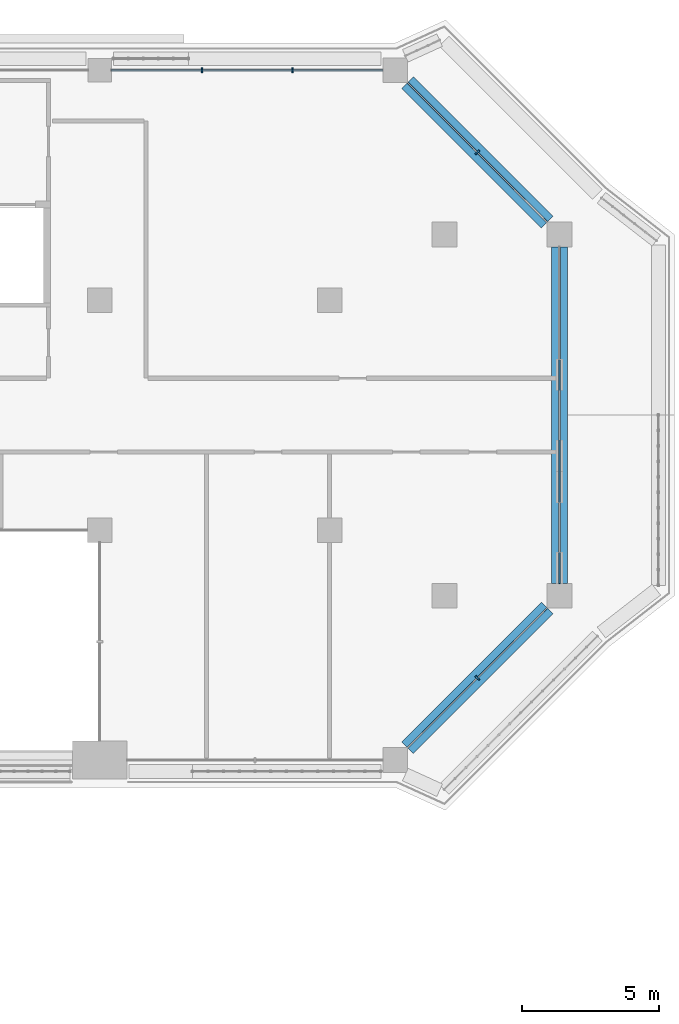
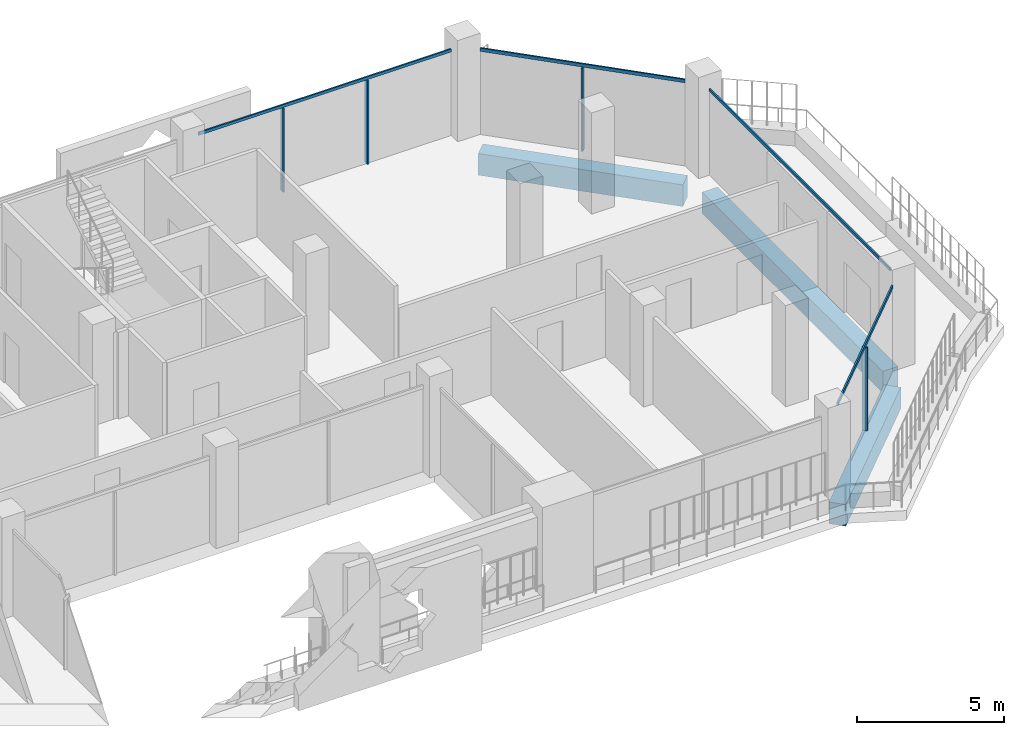
# One storey, part 9 of 23: 8 members, 3 beams, 4 elements without a shape of their own.
"""IFC4 building model written with IfcOpenShell, lengths in metres."""

import ifcopenshell
import ifcopenshell.guid

model = None  # the IFC model being written
_history = None  # IfcOwnerHistory: only IFC2X3 demands one
_inside = {}  # id of a spatial element -> (the spatial element, [elements in it])
_under = {}  # id of a project, library or spatial element -> (it, [spatial elements below it])
_declared = {}  # id of a project -> (the project, [libraries it declares])
_typed = {}  # id of a type object -> (the type object, [elements of that type])
_made_of = {}  # id of a material, layer set ... -> (it, [elements and type objects made of it])


def new_model(schema):
    """Start an empty IFC model of exactly this schema.

    Asked for "IFC4X3", IfcOpenShell would pick the latest addendum, in which some entities
    have other attributes; the version numbers below select the first issue.
    IFC2X3 requires an IfcOwnerHistory on every rooted entity: one is made here for all.
    """
    global model, _history
    if schema == "IFC4X3":
        model = ifcopenshell.file(schema_version=(4, 3, 0, 0))
    else:
        model = ifcopenshell.file(schema=schema)
    _inside.clear()
    _under.clear()
    _declared.clear()
    _typed.clear()
    _made_of.clear()
    _history = None
    if model.schema == "IFC2X3":
        org = make("IfcOrganization", Name="unknown")
        user = make(
            "IfcPersonAndOrganization",
            ThePerson=make("IfcPerson", FamilyName="unknown"),
            TheOrganization=org,
        )
        app = make(
            "IfcApplication",
            ApplicationDeveloper=org,
            Version="unknown",
            ApplicationFullName="unknown",
            ApplicationIdentifier="unknown",
        )
        _history = make(
            "IfcOwnerHistory",
            OwningUser=user,
            OwningApplication=app,
            ChangeAction="ADDED",
            CreationDate=0,
        )
    return model


def make(cls, **values):
    """One entity of the class cls with the attributes given. An attribute that is None is left unset."""
    return model.create_entity(
        cls, **{name: value for name, value in values.items() if value is not None}
    )


def rooted(cls, **values):
    """An entity with a GlobalId (a new one), such as an element, a storey or a relation."""
    return make(cls, GlobalId=ifcopenshell.guid.new(), OwnerHistory=_history, **values)


def si_unit(unit_type, name, prefix=None):
    """IfcSIUnit, for example si_unit("LENGTHUNIT", "METRE", prefix="MILLI")."""
    return make("IfcSIUnit", UnitType=unit_type, Prefix=prefix, Name=name)


def assignment(units):
    """IfcUnitAssignment: the units of a project."""
    return None if units is None else make("IfcUnitAssignment", Units=units)


def point(xyz):
    """IfcCartesianPoint."""
    return None if xyz is None else make("IfcCartesianPoint", Coordinates=xyz)


def direction(xyz):
    """IfcDirection."""
    return None if xyz is None else make("IfcDirection", DirectionRatios=xyz)


def frame(location, z_axis=None, x_axis=None):
    """IfcAxis2Placement3D, a coordinate frame: its origin and axes. An axis left out is left unset."""
    return make(
        "IfcAxis2Placement3D",
        Location=point(location),
        Axis=direction(z_axis),
        RefDirection=direction(x_axis),
    )


def frame_2d(location, x_axis=None):
    """IfcAxis2Placement2D, a coordinate frame in the plane: its origin and x axis."""
    return make(
        "IfcAxis2Placement2D", Location=point(location), RefDirection=direction(x_axis)
    )


def origin():
    """The frame at (0, 0, 0) with its axes left unset."""
    return frame((0.0, 0.0, 0.0))


def origin_2d():
    """The frame at (0, 0) in the plane with its x axis left unset."""
    return frame_2d((0.0, 0.0))


def place(relative_to, where):
    """IfcLocalPlacement: puts the frame where relative to a parent placement (None: the world)."""
    return make(
        "IfcLocalPlacement", PlacementRelTo=relative_to, RelativePlacement=where
    )


def context(
    kind, dimensions, precision=None, world=None, true_north=None, identifier=None
):
    """IfcGeometricRepresentationContext, for example the 3D "Model" context."""
    return make(
        "IfcGeometricRepresentationContext",
        ContextIdentifier=identifier,
        ContextType=kind,
        CoordinateSpaceDimension=dimensions,
        Precision=precision,
        WorldCoordinateSystem=world,
        TrueNorth=true_north,
    )


def subcontext(parent, identifier, kind, view, scale=None):
    """IfcGeometricRepresentationSubContext, for example "Body" below "Model"."""
    return make(
        "IfcGeometricRepresentationSubContext",
        ContextIdentifier=identifier,
        ContextType=kind,
        ParentContext=parent,
        TargetScale=scale,
        TargetView=view,
    )


def project(units=None, contexts=None):
    """IfcProject with its units and contexts."""
    return rooted(
        "IfcProject",
        Name="project",
        RepresentationContexts=contexts,
        UnitsInContext=assignment(units),
    )


def spatial(cls, under=None, at=None, **own):
    """A site, building, storey or space (cls), placed at a placement, below another one or the project."""
    s = rooted(cls, ObjectPlacement=at, **own)
    if under is not None:
        _under.setdefault(under.id(), (under, []))[1].append(s)
    return s


def profile(cls, at=None, kind="AREA", **sizes):
    """A parametric profile (cls). Its sizes go by their IFC names, for example OverallWidth=200.0."""
    return make(cls, ProfileType=kind, Position=at, **sizes)


def rectangle(**sizes):
    """IfcRectangleProfileDef."""
    return profile("IfcRectangleProfileDef", **sizes)


def extrude(swept, where, along, depth):
    """IfcExtrudedAreaSolid: the profile swept, set in the frame where, extruded along a direction by depth."""
    return make(
        "IfcExtrudedAreaSolid",
        SweptArea=swept,
        Position=where,
        ExtrudedDirection=direction(along),
        Depth=depth,
    )


def shape(context_of_items, identifier, shape_type, items):
    """IfcShapeRepresentation: the items that make up one representation, for example the "Body"."""
    return make(
        "IfcShapeRepresentation",
        ContextOfItems=context_of_items,
        RepresentationIdentifier=identifier,
        RepresentationType=shape_type,
        Items=items,
    )


def material(Name=None, Category=None):
    """IfcMaterial."""
    return make("IfcMaterial", Name=Name, Category=Category)


def layer(
    of_material, thickness, ventilated=None, Name=None, Category=None, Priority=None
):
    """IfcMaterialLayer: one layer of a wall or slab, of a material (None: an air gap)."""
    return make(
        "IfcMaterialLayer",
        Material=of_material,
        LayerThickness=thickness,
        IsVentilated=ventilated,
        Name=Name,
        Category=Category,
        Priority=Priority,
    )


def layer_set(layers, Name=None):
    """IfcMaterialLayerSet."""
    return make("IfcMaterialLayerSet", MaterialLayers=layers, LayerSetName=Name)


def material_profile(
    of_material, cross_section, Name=None, Category=None, Priority=None
):
    """IfcMaterialProfile: a cross section and its material."""
    return make(
        "IfcMaterialProfile",
        Name=Name,
        Material=of_material,
        Profile=cross_section,
        Priority=Priority,
        Category=Category,
    )


def profile_set(profiles, Name=None, composite=None):
    """IfcMaterialProfileSet."""
    return make(
        "IfcMaterialProfileSet",
        Name=Name,
        MaterialProfiles=profiles,
        CompositeProfile=composite,
    )


def made_of(thing, what):
    """Note that an element or type object is made of a material, layer set ...; save() writes the relation."""
    if what is not None:
        _made_of.setdefault(what.id(), (what, []))[1].append(thing)
    return thing


def type_object(cls, material=None, **own):
    """A type object (cls), such as IfcWallType, which elements share."""
    return made_of(rooted(cls, **own), material)


def element(
    cls,
    number,
    at=None,
    inside=None,
    cuts=None,
    type_object=None,
    material=None,
    context=None,
    identifier="Body",
    shape_type=None,
    held_by="IfcProductDefinitionShape",
    body=None,
    shapes=None,
    **own,
):
    """One element of the class cls, such as IfcWall. Its Tag is "e" and its number.

    at: its placement. inside: the storey or other place that contains it. cuts: it is an
    opening in that element (IfcRelVoidsElement). A single representation is given by context,
    identifier, shape_type and body (its items); several are given by shapes. held_by: the class
    of the entity that holds the representations. save() writes the other relations.
    """
    e = rooted(cls, Tag="e%d" % number, ObjectPlacement=at, **own)
    if body is not None:
        shapes = [shape(context, identifier, shape_type, body)]
    if shapes is not None:
        e.Representation = make(held_by, Representations=shapes)
    if inside is not None:
        _inside.setdefault(inside.id(), (inside, []))[1].append(e)
    if cuts is not None:
        rooted(
            "IfcRelVoidsElement", RelatingBuildingElement=cuts, RelatedOpeningElement=e
        )
    if type_object is not None:
        _typed.setdefault(type_object.id(), (type_object, []))[1].append(e)
    return made_of(e, material)


def aggregate(whole, parts):
    """IfcRelAggregates: a whole, such as a stair, and the parts it consists of."""
    return rooted("IfcRelAggregates", RelatingObject=whole, RelatedObjects=parts)


def save(model, path):
    """Write the relations noted so far, then the file.

    IfcRelAggregates (storeys below a building ...), IfcRelContainedInSpatialStructure (elements
    in a storey), IfcRelDefinesByType, IfcRelAssociatesMaterial and IfcRelDeclares: one each for
    every whole, place, type object, material and project.
    """
    for whole, parts in _under.values():
        aggregate(whole, parts)
    for where, things in _inside.values():
        rooted(
            "IfcRelContainedInSpatialStructure",
            RelatedElements=things,
            RelatingStructure=where,
        )
    for kind, things in _typed.values():
        rooted("IfcRelDefinesByType", RelatedObjects=things, RelatingType=kind)
    for what, things in _made_of.values():
        rooted("IfcRelAssociatesMaterial", RelatedObjects=things, RelatingMaterial=what)
    for by, libraries in _declared.values():
        rooted("IfcRelDeclares", RelatingContext=by, RelatedDefinitions=libraries)
    model.write(path)


model = new_model("IFC4")

# Units and contexts
model_context = context("Model", 3, precision=1e-05, world=origin(), true_north=direction((0.0, 1.0)))
body_context = subcontext(model_context, "Body", "Model", "MODEL_VIEW")
ifc_project = project(units=[si_unit("LENGTHUNIT", "METRE"), si_unit("AREAUNIT", "SQUARE_METRE"), si_unit("VOLUMEUNIT", "CUBIC_METRE"), si_unit("PLANEANGLEUNIT", "RADIAN"), si_unit("MASSUNIT", "GRAM", prefix="KILO")], contexts=[model_context])

# Site, building, storey
site_placement = place(None, origin())
site = spatial("IfcSite", under=ifc_project, at=site_placement, CompositionType="ELEMENT")
building_placement = place(site_placement, origin())
building = spatial("IfcBuilding", under=site, at=building_placement, Name="Kawkab Arch Medical Tower", CompositionType="ELEMENT")
storey_placement = place(building_placement, frame((0.0, 0.0, 226.39990234375)))
storey = spatial("IfcBuildingStorey", under=building, at=storey_placement, Name="L52", CompositionType="ELEMENT", Elevation=226.39990234375)

# Curtain wall, members
ifc_material_1 = material(Name="Bronze anodised aluminium curtain wall frame", Category="aluminium")
ifc_layer_1 = layer(ifc_material_1, 0.159912109375)
ifc_layer_set_1 = layer_set([ifc_layer_1], Name="Bronze anodised aluminium curtain wall frame")
curtain_wall_type_1 = type_object("IfcCurtainWallType", Name="CW1 ward curtain wall", PredefinedType="NOTDEFINED", material=ifc_layer_set_1)
placement = place(storey_placement, origin())
curtain_wall_1 = element("IfcCurtainWall", 1, at=placement, inside=storey, type_object=curtain_wall_type_1, Name="CW1 Ward curtain wall R09", PredefinedType="NOTDEFINED")
ifc_material_2 = material(Name="Bronze anodised aluminium curtain wall frame", Category="aluminium")
ifc_material_profile_1 = material_profile(ifc_material_2, rectangle(XDim=0.179931640625, YDim=0.06005859375, at=origin_2d()), Name="AL 60x180")
ifc_profile_set_1 = profile_set([ifc_material_profile_1], Name="Bronze anodised aluminium curtain wall frame")
member_type_1 = type_object("IfcMemberType", Name="CW1 mullion 60 x 180", PredefinedType="MULLION", material=ifc_profile_set_1)
member_1_placement = place(storey_placement, frame((57.441650390625, 0.0, 0.0), z_axis=(0.0, 0.0, 1.0), x_axis=(0.0, -1.0, 0.0)))
member_1 = element("IfcMember", 2, at=member_1_placement, type_object=member_type_1, Name="CW1 mullion 1.1", PredefinedType="MULLION", context=body_context, shape_type="SweptSolid", body=[
    extrude(rectangle(XDim=0.179931640625, YDim=0.06005859375, at=origin_2d()), origin(), (0.0, 0.0, 1.0), 3.47998046875),
])
member_2_placement = place(storey_placement, frame((54.13330078125, 0.0, 0.0), z_axis=(0.0, 0.0, 1.0), x_axis=(0.0, -1.0, 0.0)))
member_2 = element("IfcMember", 3, at=member_2_placement, type_object=member_type_1, Name="CW1 mullion 1.2", PredefinedType="MULLION", context=body_context, shape_type="SweptSolid", body=[
    extrude(rectangle(XDim=0.179931640625, YDim=0.06005859375, at=origin_2d()), origin(), (0.0, 0.0, 1.0), 3.47998046875),
])

# Curtain wall, member
curtain_wall_2 = element("IfcCurtainWall", 4, at=placement, inside=storey, type_object=curtain_wall_type_1, Name="CW1 Ward curtain wall R07", PredefinedType="NOTDEFINED")
ifc_material_3 = material(Name="Bronze anodised aluminium curtain wall frame", Category="aluminium")
ifc_material_profile_2 = material_profile(ifc_material_3, rectangle(XDim=0.06005859375, YDim=0.1201171875, at=origin_2d()), Name="AL 60x120")
ifc_profile_set_2 = profile_set([ifc_material_profile_2], Name="Bronze anodised aluminium curtain wall frame")
member_type_2 = type_object("IfcMemberType", Name="CW1 transom 120 x 60", PredefinedType="USERDEFINED", material=ifc_profile_set_2)
member_3_placement = place(storey_placement, frame((67.199951171875, -18.75, 3.5400390625), z_axis=(0.0, 1.0, 0.0), x_axis=(-1.0, 0.0, 0.0)))
member_3 = element("IfcMember", 5, at=member_3_placement, type_object=member_type_2, Name="CW1 transom 1", ObjectType="TRANSOM", PredefinedType="USERDEFINED", context=body_context, shape_type="SweptSolid", body=[
    extrude(rectangle(XDim=0.06005859375, YDim=0.1201171875, at=origin_2d()), origin(), (0.0, 0.0, 1.0), 12.300048828125),
])
aggregate(curtain_wall_2, [member_3])

# Member
member_4_placement = place(storey_placement, frame((60.75, 0.0, 3.5400390625), z_axis=(-1.0, 0.0, 0.0), x_axis=(0.0, -1.0, 0.0)))
member_4 = element("IfcMember", 6, at=member_4_placement, type_object=member_type_2, Name="CW1 transom 1", ObjectType="TRANSOM", PredefinedType="USERDEFINED", context=body_context, shape_type="SweptSolid", body=[
    extrude(rectangle(XDim=0.06005859375, YDim=0.1201171875, at=origin_2d()), origin(), (0.0, 0.0, 1.0), 9.925048828125),
])

aggregate(curtain_wall_1, [member_4, member_1, member_2])

# Curtain wall, member
ifc_material_4 = material(Name="Bronze anodised aluminium curtain wall frame", Category="aluminium")
ifc_layer_2 = layer(ifc_material_4, 0.159912109375)
ifc_layer_set_2 = layer_set([ifc_layer_2], Name="Bronze anodised aluminium curtain wall frame")
curtain_wall_type_2 = type_object("IfcCurtainWallType", Name="CW2 chamfer curtain wall", PredefinedType="NOTDEFINED", material=ifc_layer_set_2)
curtain_wall_3 = element("IfcCurtainWall", 7, at=placement, inside=storey, type_object=curtain_wall_type_2, Name="CW2 Chamfer curtain wall R06", PredefinedType="NOTDEFINED")
ifc_material_5 = material(Name="Bronze anodised aluminium curtain wall frame", Category="aluminium")
ifc_material_profile_3 = material_profile(ifc_material_5, rectangle(XDim=0.199951171875, YDim=0.06005859375, at=origin_2d()), Name="AL 60x200")
ifc_profile_set_3 = profile_set([ifc_material_profile_3], Name="Bronze anodised aluminium curtain wall frame")
member_type_3 = type_object("IfcMemberType", Name="CW2 mullion 60 x 200", PredefinedType="MULLION", material=ifc_profile_set_3)
member_5_placement = place(storey_placement, frame((64.199951171875, -22.199951171875, 0.0), z_axis=(0.0, 0.0, 1.0), x_axis=(-0.707106781187, 0.707106781187, 0.0)))
member_5 = element("IfcMember", 8, at=member_5_placement, type_object=member_type_3, Name="CW2 mullion 1.1", PredefinedType="MULLION", context=body_context, shape_type="SweptSolid", body=[
    extrude(rectangle(XDim=0.199951171875, YDim=0.06005859375, at=origin_2d()), origin(), (0.0, 0.0, 1.0), 3.460205078125),
])

curtain_wall_4 = element("IfcCurtainWall", 9, at=placement, inside=storey, type_object=curtain_wall_type_2, Name="CW2 Chamfer curtain wall R08", PredefinedType="NOTDEFINED")
member_6_placement = place(storey_placement, frame((64.199951171875, -3.0, 0.0), z_axis=(0.0, 0.0, 1.0), x_axis=(-0.707106781187, -0.707106781187, 0.0)))
member_6 = element("IfcMember", 10, at=member_6_placement, type_object=member_type_3, Name="CW2 mullion 1.1", PredefinedType="MULLION", context=body_context, shape_type="SweptSolid", body=[
    extrude(rectangle(XDim=0.199951171875, YDim=0.06005859375, at=origin_2d()), origin(), (0.0, 0.0, 1.0), 3.460205078125),
])

# Member
ifc_material_6 = material(Name="Bronze anodised aluminium curtain wall frame", Category="aluminium")
ifc_material_profile_4 = material_profile(ifc_material_6, rectangle(XDim=0.06005859375, YDim=0.139892578125, at=origin_2d()), Name="AL 60x140")
ifc_profile_set_4 = profile_set([ifc_material_profile_4], Name="Bronze anodised aluminium curtain wall frame")
member_type_4 = type_object("IfcMemberType", Name="CW2 transom 140 x 60", PredefinedType="USERDEFINED", material=ifc_profile_set_4)
member_7_placement = place(storey_placement, frame((61.64990234375, -24.75, 3.530029296875), z_axis=(0.707106781187, 0.707106781187, 0.0), x_axis=(-0.707106781187, 0.707106781187, 0.0)))
member_7 = element("IfcMember", 11, at=member_7_placement, type_object=member_type_4, Name="CW2 transom 1", ObjectType="TRANSOM", PredefinedType="USERDEFINED", context=body_context, shape_type="SweptSolid", body=[
    extrude(rectangle(XDim=0.06005859375, YDim=0.139892578125, at=origin_2d()), origin(), (0.0, 0.0, 1.0), 7.212646484375),
])

aggregate(curtain_wall_3, [member_7, member_5])

member_8_placement = place(storey_placement, frame((66.75, -5.550048828125, 3.530029296875), z_axis=(-0.707106781187, 0.707106781187, 0.0), x_axis=(-0.707106781187, -0.707106781187, 0.0)))
member_8 = element("IfcMember", 12, at=member_8_placement, type_object=member_type_4, Name="CW2 transom 1", ObjectType="TRANSOM", PredefinedType="USERDEFINED", context=body_context, shape_type="SweptSolid", body=[
    extrude(rectangle(XDim=0.06005859375, YDim=0.139892578125, at=origin_2d()), origin(), (0.0, 0.0, 1.0), 7.212646484375),
])

aggregate(curtain_wall_4, [member_8, member_6])

# Beams
ifc_material_7 = material(Name="Concrete C45/55", Category="concrete")
ifc_material_profile_5 = material_profile(ifc_material_7, rectangle(XDim=0.60009765625, YDim=0.89990234375, at=origin_2d()), Name="RC 600x900")
ifc_profile_set_5 = profile_set([ifc_material_profile_5], Name="Concrete C45/55")
beam_type = type_object("IfcBeamType", Name="RC 600x900 beam C45/55", PredefinedType="BEAM", material=ifc_profile_set_5)
beam_1_placement = place(storey_placement, frame((61.64990234375, -0.449951171875, -1.0498046875), z_axis=(0.707106781187, -0.707106781187, 0.0), x_axis=(0.707106781187, 0.707106781187, 0.0)))
element("IfcBeam", 13, at=beam_1_placement, inside=storey, type_object=beam_type, Name="Overhang edge beam L52-01", PredefinedType="BEAM", context=body_context, shape_type="SweptSolid", body=[
    extrude(rectangle(XDim=0.60009765625, YDim=0.89990234375, at=origin_2d()), origin(), (0.0, 0.0, 1.0), 7.212646484375),
])
beam_2_placement = place(storey_placement, frame((67.199951171875, -6.449951171875, -1.0498046875), z_axis=(0.0, -1.0, 0.0), x_axis=(1.0, 0.0, 0.0)))
element("IfcBeam", 14, at=beam_2_placement, inside=storey, type_object=beam_type, Name="Overhang edge beam L52-02", PredefinedType="BEAM", context=body_context, shape_type="SweptSolid", body=[
    extrude(rectangle(XDim=0.60009765625, YDim=0.89990234375, at=origin_2d()), origin(), (0.0, 0.0, 1.0), 12.300048828125),
])
beam_3_placement = place(storey_placement, frame((66.75, -19.64990234375, -1.0498046875), z_axis=(-0.707106781187, -0.707106781187, 0.0), x_axis=(0.707106781187, -0.707106781187, 0.0)))
element("IfcBeam", 15, at=beam_3_placement, inside=storey, type_object=beam_type, Name="Overhang edge beam L52-03", PredefinedType="BEAM", context=body_context, shape_type="SweptSolid", body=[
    extrude(rectangle(XDim=0.60009765625, YDim=0.89990234375, at=origin_2d()), origin(), (0.0, 0.0, 1.0), 7.212646484375),
])

save(model, "model.ifc")
